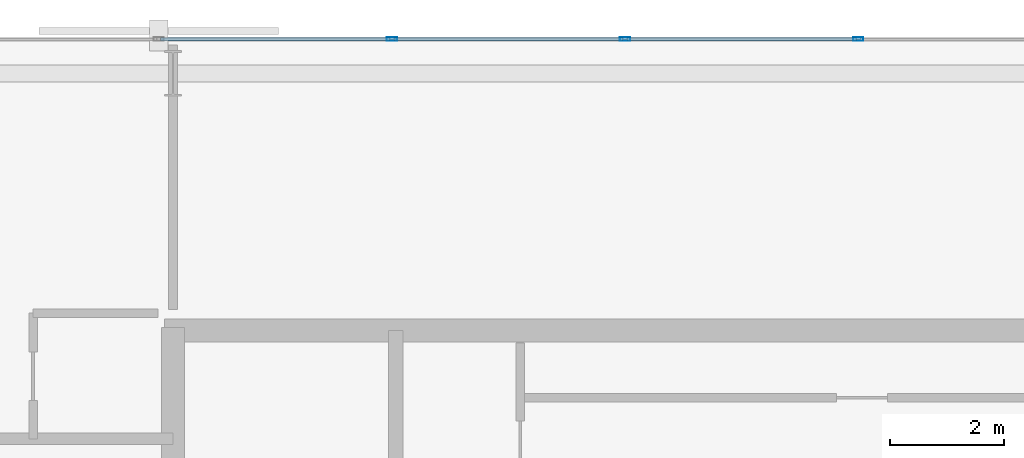
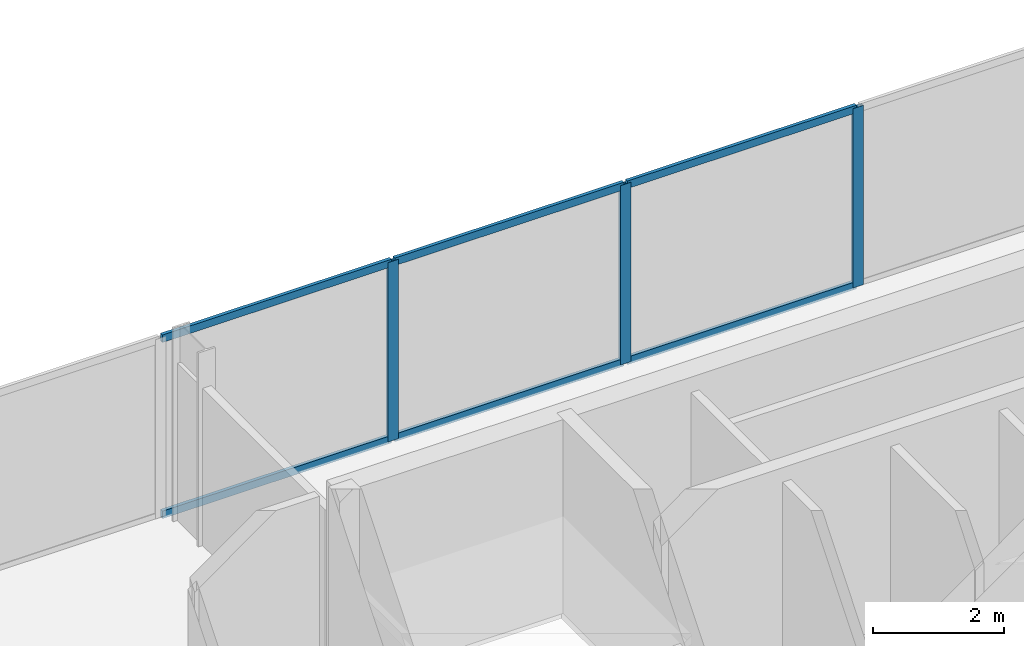
# One storey, part 23 of 33: 9 members, 1 element without a shape of its own.
"""IFC4 building model written with IfcOpenShell, lengths in metres."""

from ifc_helpers import new_model, si_unit, direction, frame, origin, origin_2d, place, context, subcontext, project, spatial, hollow_rectangle, extrude, material, layer, layer_set, material_profile, profile_set, type_object, element, aggregate, save


model = new_model("IFC4")

# Units and contexts
model_context = context("Model", 3, precision=1e-05, world=origin(), true_north=direction((0.0, 1.0)))
body_context = subcontext(model_context, "Body", "Model", "MODEL_VIEW")
ifc_project = project(units=[si_unit("LENGTHUNIT", "METRE"), si_unit("AREAUNIT", "SQUARE_METRE"), si_unit("VOLUMEUNIT", "CUBIC_METRE"), si_unit("PLANEANGLEUNIT", "RADIAN"), si_unit("MASSUNIT", "GRAM", prefix="KILO")], contexts=[model_context])

# Site, building, storey
site_placement = place(None, origin())
site = spatial("IfcSite", under=ifc_project, at=site_placement, CompositionType="ELEMENT")
building_placement = place(site_placement, origin())
building = spatial("IfcBuilding", under=site, at=building_placement, Name="Catumbela Crestline Tower", CompositionType="ELEMENT")
storey_placement = place(building_placement, frame((0.0, 0.0, 72.6)))
storey = spatial("IfcBuildingStorey", under=building, at=storey_placement, Name="L18", CompositionType="ELEMENT", Elevation=72.6)

# Curtain wall, members
ifc_material = material(Name="Aluminium alloy AW-6060-T66", Category="aluminium")
ifc_layer = layer(ifc_material, 0.18, Name="Aluminium alloy AW-6060-T66")
ifc_layer_set = layer_set([ifc_layer], Name="Aluminium alloy AW-6060-T66")
curtain_wall_type = type_object("IfcCurtainWallType", Name="CWU-Z1", PredefinedType="USERDEFINED", material=ifc_layer_set)
curtain_wall_placement = place(storey_placement, origin())
curtain_wall = element("IfcCurtainWall", 1, at=curtain_wall_placement, inside=storey, type_object=curtain_wall_type, Name="L18 Unitised Curtain Wall CW-L18-E7S1", ObjectType="UNITISED", PredefinedType="USERDEFINED")
ifc_material_profile_1 = material_profile(ifc_material, hollow_rectangle(XDim=0.065, YDim=0.18, WallThickness=0.004, at=origin_2d()), Name="ALU 180x65x4")
ifc_profile_set_1 = profile_set([ifc_material_profile_1], Name="Aluminium alloy AW-6060-T66")
member_type_1 = type_object("IfcMemberType", Name="MUL-180X65", PredefinedType="MULLION", material=ifc_profile_set_1)
member_1_placement = place(storey_placement, frame((28.0, 48.0, 0.0), z_axis=(0.0, 0.0, 1.0), x_axis=(0.0, -1.0, 0.0)))
member_1 = element("IfcMember", 2, at=member_1_placement, type_object=member_type_1, Name="CWU-Z1 mullion 7", PredefinedType="MULLION", context=body_context, shape_type="SweptSolid", body=[
    extrude(hollow_rectangle(XDim=0.065, YDim=0.18, WallThickness=0.004, at=origin_2d()), origin(), (0.0, 0.0, 1.0), 3.33),
])
member_2_placement = place(storey_placement, frame((23.9167, 48.0, 0.0), z_axis=(0.0, 0.0, 1.0), x_axis=(0.0, -1.0, 0.0)))
member_2 = element("IfcMember", 3, at=member_2_placement, type_object=member_type_1, Name="CWU-Z1 mullion 8", PredefinedType="MULLION", context=body_context, shape_type="SweptSolid", body=[
    extrude(hollow_rectangle(XDim=0.065, YDim=0.18, WallThickness=0.004, at=origin_2d()), origin(), (0.0, 0.0, 1.0), 3.33),
])
member_3_placement = place(storey_placement, frame((19.8333, 48.0, 0.0), z_axis=(0.0, 0.0, 1.0), x_axis=(0.0, -1.0, 0.0)))
member_3 = element("IfcMember", 4, at=member_3_placement, type_object=member_type_1, Name="CWU-Z1 mullion 9", PredefinedType="MULLION", context=body_context, shape_type="SweptSolid", body=[
    extrude(hollow_rectangle(XDim=0.065, YDim=0.18, WallThickness=0.004, at=origin_2d()), origin(), (0.0, 0.0, 1.0), 3.33),
])
ifc_material_profile_2 = material_profile(ifc_material, hollow_rectangle(XDim=0.06, YDim=0.14, WallThickness=0.004, at=origin_2d()), Name="ALU 140x60x4")
ifc_profile_set_2 = profile_set([ifc_material_profile_2], Name="Aluminium alloy AW-6060-T66")
member_type_2 = type_object("IfcMemberType", Name="TRN-140X60", PredefinedType="USERDEFINED", material=ifc_profile_set_2)
member_4_placement = place(storey_placement, frame((27.9675, 48.0, 0.03), z_axis=(-1.0, 0.0, 0.0), x_axis=(0.0, -1.0, 0.0)))
member_4 = element("IfcMember", 5, at=member_4_placement, type_object=member_type_2, Name="CWU-Z1 transom 7.1", ObjectType="TRANSOM", PredefinedType="USERDEFINED", context=body_context, shape_type="SweptSolid", body=[
    extrude(hollow_rectangle(XDim=0.06, YDim=0.14, WallThickness=0.004, at=origin_2d()), origin(), (0.0, 0.0, 1.0), 4.0183),
])
member_5_placement = place(storey_placement, frame((27.9675, 48.0, 3.3), z_axis=(-1.0, 0.0, 0.0), x_axis=(0.0, -1.0, 0.0)))
member_5 = element("IfcMember", 6, at=member_5_placement, type_object=member_type_2, Name="CWU-Z1 transom 7.2", ObjectType="TRANSOM", PredefinedType="USERDEFINED", context=body_context, shape_type="SweptSolid", body=[
    extrude(hollow_rectangle(XDim=0.06, YDim=0.14, WallThickness=0.004, at=origin_2d()), origin(), (0.0, 0.0, 1.0), 4.0183),
])
member_6_placement = place(storey_placement, frame((23.8842, 48.0, 0.03), z_axis=(-1.0, 0.0, 0.0), x_axis=(0.0, -1.0, 0.0)))
member_6 = element("IfcMember", 7, at=member_6_placement, type_object=member_type_2, Name="CWU-Z1 transom 8.1", ObjectType="TRANSOM", PredefinedType="USERDEFINED", context=body_context, shape_type="SweptSolid", body=[
    extrude(hollow_rectangle(XDim=0.06, YDim=0.14, WallThickness=0.004, at=origin_2d()), origin(), (0.0, 0.0, 1.0), 4.0184),
])
member_7_placement = place(storey_placement, frame((23.8842, 48.0, 3.3), z_axis=(-1.0, 0.0, 0.0), x_axis=(0.0, -1.0, 0.0)))
member_7 = element("IfcMember", 8, at=member_7_placement, type_object=member_type_2, Name="CWU-Z1 transom 8.2", ObjectType="TRANSOM", PredefinedType="USERDEFINED", context=body_context, shape_type="SweptSolid", body=[
    extrude(hollow_rectangle(XDim=0.06, YDim=0.14, WallThickness=0.004, at=origin_2d()), origin(), (0.0, 0.0, 1.0), 4.0184),
])
member_8_placement = place(storey_placement, frame((19.8008, 48.0, 0.03), z_axis=(-1.0, 0.0, 0.0), x_axis=(0.0, -1.0, 0.0)))
member_8 = element("IfcMember", 9, at=member_8_placement, type_object=member_type_2, Name="CWU-Z1 transom 9.1", ObjectType="TRANSOM", PredefinedType="USERDEFINED", context=body_context, shape_type="SweptSolid", body=[
    extrude(hollow_rectangle(XDim=0.06, YDim=0.14, WallThickness=0.004, at=origin_2d()), origin(), (0.0, 0.0, 1.0), 4.0183),
])
member_9_placement = place(storey_placement, frame((19.8008, 48.0, 3.3), z_axis=(-1.0, 0.0, 0.0), x_axis=(0.0, -1.0, 0.0)))
member_9 = element("IfcMember", 10, at=member_9_placement, type_object=member_type_2, Name="CWU-Z1 transom 9.2", ObjectType="TRANSOM", PredefinedType="USERDEFINED", context=body_context, shape_type="SweptSolid", body=[
    extrude(hollow_rectangle(XDim=0.06, YDim=0.14, WallThickness=0.004, at=origin_2d()), origin(), (0.0, 0.0, 1.0), 4.0183),
])
aggregate(curtain_wall, [member_1, member_2, member_3, member_4, member_5, member_6, member_7, member_8, member_9])

save(model, "model.ifc")
